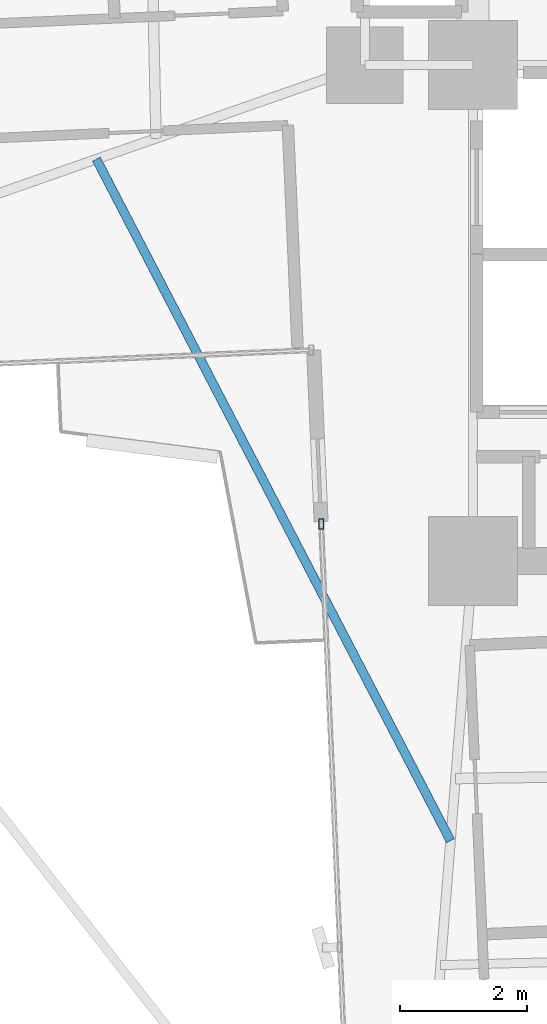
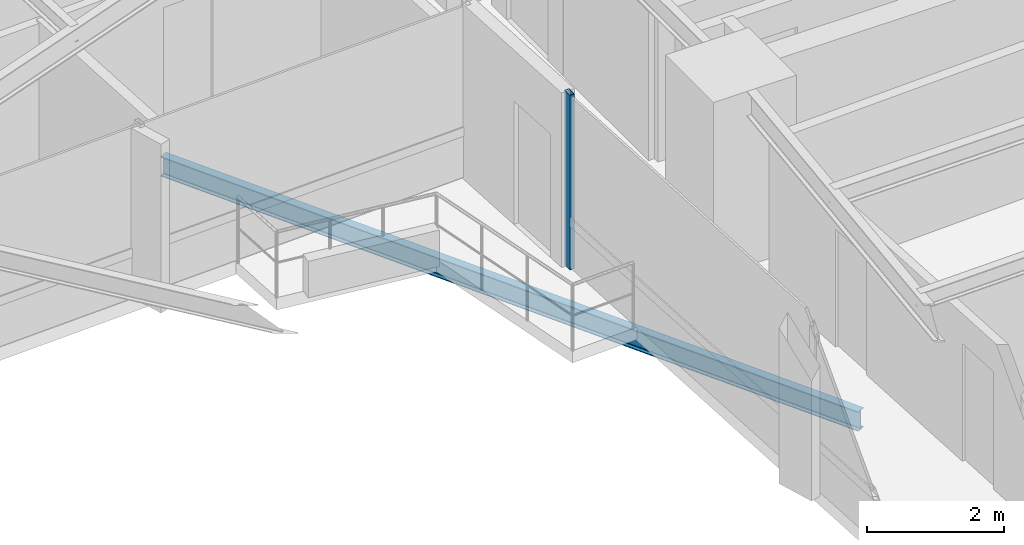
# One storey, part 5 of 26: 1 beam, 1 member, 1 element without a shape of its own.
"""IFC4 building model written with IfcOpenShell, lengths in metres."""

from ifc_helpers import new_model, si_unit, direction, frame, origin, origin_2d, place, context, subcontext, project, spatial, hollow_rectangle, i_section, extrude, source, transform, mapped, material, material_profile, profile_set, type_object, element, aggregate, save


model = new_model("IFC4")

# Units and contexts
model_context = context("Model", 3, precision=1e-05, world=origin(), true_north=direction((0.0, 1.0)))
body_context = subcontext(model_context, "Body", "Model", "MODEL_VIEW")
ifc_project = project(units=[si_unit("LENGTHUNIT", "METRE"), si_unit("AREAUNIT", "SQUARE_METRE"), si_unit("VOLUMEUNIT", "CUBIC_METRE"), si_unit("PLANEANGLEUNIT", "RADIAN"), si_unit("MASSUNIT", "GRAM", prefix="KILO")], contexts=[model_context])

# Site, building, storey
site_placement = place(None, origin())
site = spatial("IfcSite", under=ifc_project, at=site_placement, CompositionType="ELEMENT")
building_placement = place(site_placement, origin())
building = spatial("IfcBuilding", under=site, at=building_placement, Name="Sahyath Konkavel Grand Hotel", CompositionType="ELEMENT")
storey_placement = place(building_placement, frame((0.0, 0.0, 111.449951171875)))
storey = spatial("IfcBuildingStorey", under=building, at=storey_placement, Name="L30", CompositionType="ELEMENT", Elevation=111.449951171875)

# Curtain wall, member
ifc_material_1 = material(Name="Anodised Bronze Aluminium & Low-E Glazing", Category="aluminium")
curtain_wall_type = type_object("IfcCurtainWallType", Name="CW-ZONE2", PredefinedType="NOTDEFINED", material=ifc_material_1)
curtain_wall_placement = place(storey_placement, origin())
curtain_wall = element("IfcCurtainWall", 1, at=curtain_wall_placement, inside=storey, type_object=curtain_wall_type, Name="L30 Unitised Curtain Wall F24", PredefinedType="NOTDEFINED")
ifc_material_2 = material(Name="Anodised Bronze Aluminium", Category="aluminium")
ifc_material_profile_1 = material_profile(ifc_material_2, hollow_rectangle(XDim=0.080078125, YDim=0.159912109375, WallThickness=0.006103515625, at=origin_2d()), Name="RHS 160x80x6")
ifc_profile_set_1 = profile_set([ifc_material_profile_1], Name="Anodised Bronze Aluminium")
member_type = type_object("IfcMemberType", Name="CW-MUL-160", PredefinedType="MULLION", material=ifc_profile_set_1)
shared_shape_1 = source(origin(), body_context, "Body", "SweptSolid", [
    extrude(hollow_rectangle(XDim=0.080078125, YDim=0.159912109375, WallThickness=0.006103515625, at=origin_2d()), origin(), (0.0, 0.0, 1.0), 3.110107421875),
])
member_placement = place(storey_placement, frame((-6.186279296875, -9.618896484375, 0.0), z_axis=(0.0, 0.0, 1.0), x_axis=(1.0, 0.0, 0.0)))
member = element("IfcMember", 2, at=member_placement, type_object=member_type, Name="L30 Curtain Wall Mullion F24-0", PredefinedType="MULLION", context=body_context, shape_type="MappedRepresentation", body=[
    mapped(shared_shape_1, transform((0.0, 0.0, 0.0), scale=1.0)),
])
aggregate(curtain_wall, [member])

# Beam
ifc_material_3 = material(Name="Steel E350", Category="steel")
ifc_material_profile_2 = material_profile(ifc_material_3, i_section(OverallWidth=0.139892578125, OverallDepth=0.35009765625, WebThickness=0.008056640625, FlangeThickness=0.01416015625, FilletRadius=0.013916015625, at=origin_2d()), Name="ISMB 350")
ifc_profile_set_2 = profile_set([ifc_material_profile_2], Name="Steel E350")
beam_type = type_object("IfcBeamType", Name="BM-BALC-CANT", PredefinedType="BEAM", material=ifc_profile_set_2)
shared_shape_2 = source(origin(), body_context, "Body", "SweptSolid", [
    extrude(i_section(OverallWidth=0.139892578125, OverallDepth=0.35009765625, WebThickness=0.008056640625, FlangeThickness=0.01416015625, FilletRadius=0.013916015625, at=origin_2d()), origin(), (0.0, 0.0, 1.0), 12.085205078125),
])
beam_placement = place(storey_placement, frame((-9.7236328125, -3.87890625, -0.4150390625), z_axis=(0.461082384626, -0.887357331962, 0.0), x_axis=(0.887357331962, 0.461082384626, 0.0)))
element("IfcBeam", 3, at=beam_placement, inside=storey, type_object=beam_type, Name="L30 Balcony Cantilever Support Beam SW", PredefinedType="BEAM", context=body_context, shape_type="MappedRepresentation", body=[
    mapped(shared_shape_2, transform((0.0, 0.0, 0.0), scale=1.0)),
])

save(model, "model.ifc")
